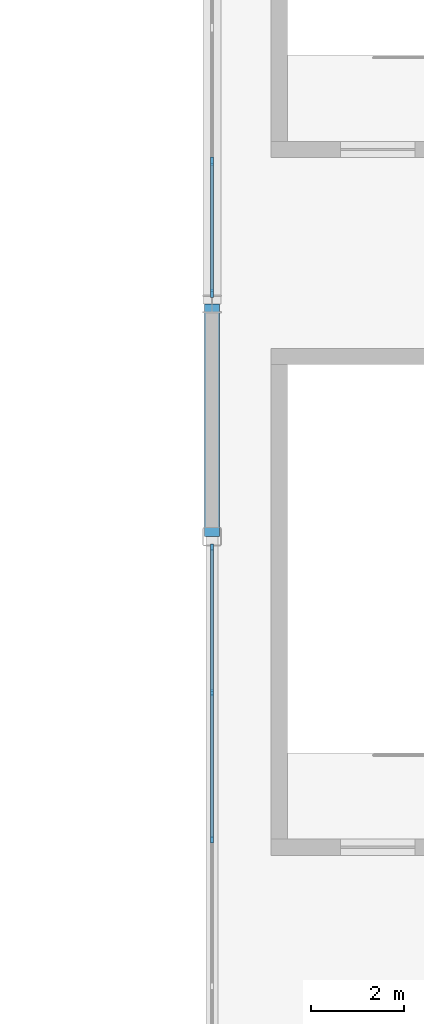
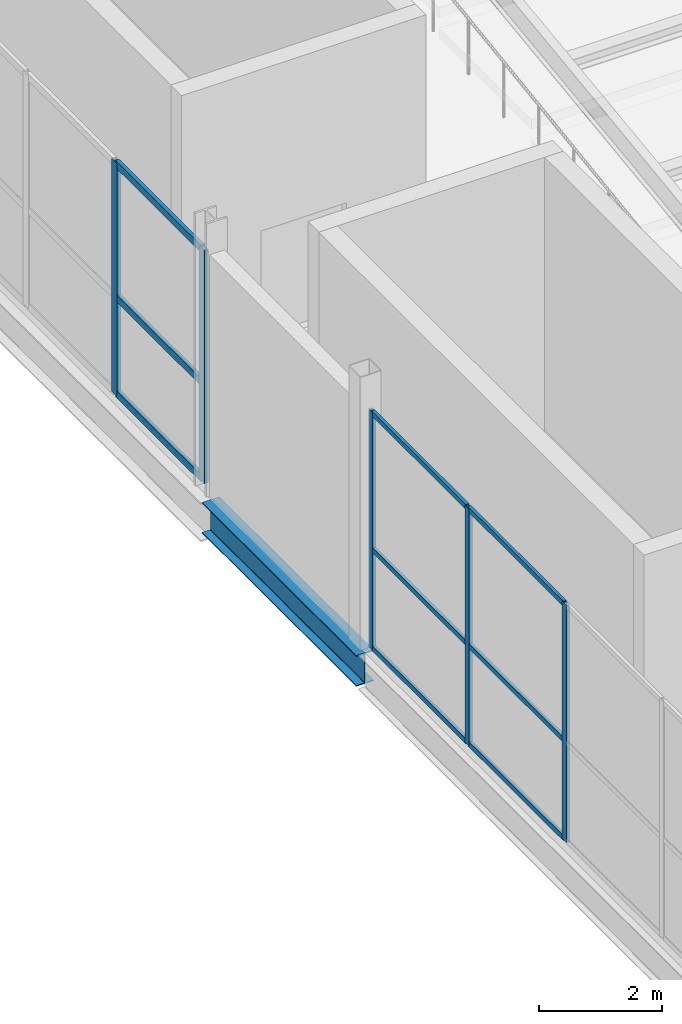
# One storey, part 58 of 119: 14 members, 1 beam, 2 elements without a shape of their own.
"""IFC4 building model written with IfcOpenShell, lengths in metres."""

from ifc_helpers import new_model, si_unit, direction, frame, origin, origin_2d, place, context, subcontext, project, spatial, rectangle, i_section, extrude, material, layer, layer_set, material_profile, profile_set, type_object, element, aggregate, save


model = new_model("IFC4")

# Units and contexts
model_context = context("Model", 3, precision=1e-05, world=origin(), true_north=direction((0.0, 1.0)))
body_context = subcontext(model_context, "Body", "Model", "MODEL_VIEW")
ifc_project = project(units=[si_unit("LENGTHUNIT", "METRE"), si_unit("AREAUNIT", "SQUARE_METRE"), si_unit("VOLUMEUNIT", "CUBIC_METRE"), si_unit("PLANEANGLEUNIT", "RADIAN"), si_unit("MASSUNIT", "GRAM", prefix="KILO")], contexts=[model_context])

# Site, building, storey
site_placement = place(None, origin())
site = spatial("IfcSite", under=ifc_project, at=site_placement, CompositionType="ELEMENT")
building_placement = place(site_placement, origin())
building = spatial("IfcBuilding", under=site, at=building_placement, Name="Qamarlyn Nura Convention Centre", CompositionType="ELEMENT")
storey_placement = place(building_placement, frame((0.0, 0.0, 5.39990234375)))
storey = spatial("IfcBuildingStorey", under=building, at=storey_placement, Name="L01", CompositionType="ELEMENT", Elevation=5.39990234375)

# Beam
ifc_material_1 = material(Name="Steel ASTM A992", Category="steel")
ifc_material_profile_1 = material_profile(ifc_material_1, i_section(OverallWidth=0.323974609375, OverallDepth=0.611083984375, WebThickness=0.0126953125, FlangeThickness=0.01904296875, FilletRadius=0.01611328125, at=origin_2d()), Name="W610X155")
ifc_profile_set_1 = profile_set([ifc_material_profile_1], Name="Steel ASTM A992")
beam_type = type_object("IfcBeamType", Name="BM-GIRD-610", PredefinedType="BEAM", material=ifc_profile_set_1)
beam_placement = place(storey_placement, frame((144.0, 103.0, -0.54541015625), z_axis=(0.0, 1.0, 0.0), x_axis=(-1.0, 0.0, 0.0)))
element("IfcBeam", 1, at=beam_placement, inside=storey, type_object=beam_type, Name="L01 girder 12 M-N", PredefinedType="BEAM", context=body_context, shape_type="SweptSolid", body=[
    extrude(i_section(OverallWidth=0.323974609375, OverallDepth=0.611083984375, WebThickness=0.0126953125, FlangeThickness=0.01904296875, FilletRadius=0.01611328125, at=origin_2d()), origin(), (0.0, 0.0, 1.0), 5.0),
])

# Curtain wall, members
ifc_material_2 = material(Name="Double-silver low-E insulated glass", Category="glass")
ifc_layer_1 = layer(ifc_material_2, 0.179931640625, Name="CW-UNIT-84")
ifc_layer_set_1 = layer_set([ifc_layer_1], Name="Double-silver low-E insulated glass")
curtain_wall_type_1 = type_object("IfcCurtainWallType", Name="CW-UNIT-84", PredefinedType="NOTDEFINED", material=ifc_layer_set_1)
curtain_wall_1_placement = place(storey_placement, origin())
curtain_wall_1 = element("IfcCurtainWall", 2, at=curtain_wall_1_placement, inside=storey, type_object=curtain_wall_type_1, Name="L01 unitised curtain wall PLW-90-1", PredefinedType="NOTDEFINED")
ifc_material_3 = material(Name="Champagne-anodised marine aluminium", Category="aluminium")
ifc_material_profile_2 = material_profile(ifc_material_3, rectangle(XDim=0.06005859375, YDim=0.139892578125, at=origin_2d()), Name="ALU MULLION 60x140")
ifc_profile_set_2 = profile_set([ifc_material_profile_2], Name="Champagne-anodised marine aluminium")
member_type_1 = type_object("IfcMemberType", Name="CWM-140", PredefinedType="MULLION", material=ifc_profile_set_2)
member_1_placement = place(storey_placement, frame((144.0, 96.487548828125, 0.0), z_axis=(0.0, 0.0, 1.0), x_axis=(-1.0, 0.0, 0.0)))
member_1 = element("IfcMember", 3, at=member_1_placement, type_object=member_type_1, Name="CW84 mullion 3", PredefinedType="MULLION", context=body_context, shape_type="SweptSolid", body=[
    extrude(rectangle(XDim=0.06005859375, YDim=0.139892578125, at=origin_2d()), origin(), (0.0, 0.0, 1.0), 4.701171875),
])
member_2_placement = place(storey_placement, frame((144.0, 99.643798828125, 0.0), z_axis=(0.0, 0.0, 1.0), x_axis=(-1.0, 0.0, 0.0)))
member_2 = element("IfcMember", 4, at=member_2_placement, type_object=member_type_1, Name="CW84 mullion 4", PredefinedType="MULLION", context=body_context, shape_type="SweptSolid", body=[
    extrude(rectangle(XDim=0.06005859375, YDim=0.139892578125, at=origin_2d()), origin(), (0.0, 0.0, 1.0), 4.701171875),
])
member_3_placement = place(storey_placement, frame((144.0, 102.77001953125, 0.0), z_axis=(0.0, 0.0, 1.0), x_axis=(-1.0, 0.0, 0.0)))
member_3 = element("IfcMember", 5, at=member_3_placement, type_object=member_type_1, Name="CW84 mullion 5", PredefinedType="MULLION", context=body_context, shape_type="SweptSolid", body=[
    extrude(rectangle(XDim=0.06005859375, YDim=0.139892578125, at=origin_2d()), origin(), (0.0, 0.0, 1.0), 4.701171875),
])

ifc_layer_2 = layer(ifc_material_2, 0.179931640625, Name="CW-UNIT-85")
ifc_layer_set_2 = layer_set([ifc_layer_2], Name="Double-silver low-E insulated glass")
curtain_wall_type_2 = type_object("IfcCurtainWallType", Name="CW-UNIT-85", PredefinedType="NOTDEFINED", material=ifc_layer_set_2)
curtain_wall_2_placement = place(storey_placement, origin())
curtain_wall_2 = element("IfcCurtainWall", 6, at=curtain_wall_2_placement, inside=storey, type_object=curtain_wall_type_2, Name="L01 unitised curtain wall PLW-108-1", PredefinedType="NOTDEFINED")
ifc_material_profile_3 = material_profile(ifc_material_3, rectangle(XDim=0.070068359375, YDim=0.179931640625, at=origin_2d()), Name="ALU MULLION 70x180")
ifc_profile_set_3 = profile_set([ifc_material_profile_3], Name="Champagne-anodised marine aluminium")
member_type_2 = type_object("IfcMemberType", Name="CWM-180", PredefinedType="MULLION", material=ifc_profile_set_3)
member_4_placement = place(storey_placement, frame((144.0, 108.2314453125, 0.0), z_axis=(0.0, 0.0, 1.0), x_axis=(-1.0, 0.0, 0.0)))
member_4 = element("IfcMember", 7, at=member_4_placement, type_object=member_type_2, Name="CW85 mullion 1", PredefinedType="MULLION", context=body_context, shape_type="SweptSolid", body=[
    extrude(rectangle(XDim=0.070068359375, YDim=0.179931640625, at=origin_2d()), origin(), (0.0, 0.0, 1.0), 4.612060546875),
])
member_5_placement = place(storey_placement, frame((144.0, 111.069091796875, 0.0), z_axis=(0.0, 0.0, 1.0), x_axis=(-1.0, 0.0, 0.0)))
member_5 = element("IfcMember", 8, at=member_5_placement, type_object=member_type_2, Name="CW85 mullion 2", PredefinedType="MULLION", context=body_context, shape_type="SweptSolid", body=[
    extrude(rectangle(XDim=0.070068359375, YDim=0.179931640625, at=origin_2d()), origin(), (0.0, 0.0, 1.0), 4.612060546875),
])

# Member
ifc_material_profile_4 = material_profile(ifc_material_3, rectangle(XDim=0.06005859375, YDim=0.10009765625, at=origin_2d()), Name="ALU TRANSOM 60x100")
ifc_profile_set_4 = profile_set([ifc_material_profile_4], Name="Champagne-anodised marine aluminium")
member_type_3 = type_object("IfcMemberType", Name="CWT-100", PredefinedType="USERDEFINED", material=ifc_profile_set_4)
member_6_placement = place(storey_placement, frame((144.0, 96.517578125, 0.030029296875), z_axis=(0.0, 1.0, 0.0), x_axis=(-1.0, 0.0, 0.0)))
member_6 = element("IfcMember", 9, at=member_6_placement, type_object=member_type_3, Name="CW84 transom 3.1", ObjectType="TRANSOM", PredefinedType="USERDEFINED", context=body_context, shape_type="SweptSolid", body=[
    extrude(rectangle(XDim=0.06005859375, YDim=0.10009765625, at=origin_2d()), origin(), (0.0, 0.0, 1.0), 3.09619140625),
])

member_7_placement = place(storey_placement, frame((144.0, 96.517578125, 1.97412109375), z_axis=(0.0, 1.0, 0.0), x_axis=(-1.0, 0.0, 0.0)))
member_7 = element("IfcMember", 10, at=member_7_placement, type_object=member_type_3, Name="CW84 transom 3.2", ObjectType="TRANSOM", PredefinedType="USERDEFINED", context=body_context, shape_type="SweptSolid", body=[
    extrude(rectangle(XDim=0.06005859375, YDim=0.10009765625, at=origin_2d()), origin(), (0.0, 0.0, 1.0), 3.09619140625),
])

member_8_placement = place(storey_placement, frame((144.0, 96.517578125, 4.671142578125), z_axis=(0.0, 1.0, 0.0), x_axis=(-1.0, 0.0, 0.0)))
member_8 = element("IfcMember", 11, at=member_8_placement, type_object=member_type_3, Name="CW84 transom 3.3", ObjectType="TRANSOM", PredefinedType="USERDEFINED", context=body_context, shape_type="SweptSolid", body=[
    extrude(rectangle(XDim=0.06005859375, YDim=0.10009765625, at=origin_2d()), origin(), (0.0, 0.0, 1.0), 3.09619140625),
])

member_9_placement = place(storey_placement, frame((144.0, 99.673828125, 0.030029296875), z_axis=(0.0, 1.0, 0.0), x_axis=(-1.0, 0.0, 0.0)))
member_9 = element("IfcMember", 12, at=member_9_placement, type_object=member_type_3, Name="CW84 transom 4.1", ObjectType="TRANSOM", PredefinedType="USERDEFINED", context=body_context, shape_type="SweptSolid", body=[
    extrude(rectangle(XDim=0.06005859375, YDim=0.10009765625, at=origin_2d()), origin(), (0.0, 0.0, 1.0), 3.066162109375),
])

member_10_placement = place(storey_placement, frame((144.0, 99.673828125, 1.97412109375), z_axis=(0.0, 1.0, 0.0), x_axis=(-1.0, 0.0, 0.0)))
member_10 = element("IfcMember", 13, at=member_10_placement, type_object=member_type_3, Name="CW84 transom 4.2", ObjectType="TRANSOM", PredefinedType="USERDEFINED", context=body_context, shape_type="SweptSolid", body=[
    extrude(rectangle(XDim=0.06005859375, YDim=0.10009765625, at=origin_2d()), origin(), (0.0, 0.0, 1.0), 3.066162109375),
])

member_11_placement = place(storey_placement, frame((144.0, 99.673828125, 4.671142578125), z_axis=(0.0, 1.0, 0.0), x_axis=(-1.0, 0.0, 0.0)))
member_11 = element("IfcMember", 14, at=member_11_placement, type_object=member_type_3, Name="CW84 transom 4.3", ObjectType="TRANSOM", PredefinedType="USERDEFINED", context=body_context, shape_type="SweptSolid", body=[
    extrude(rectangle(XDim=0.06005859375, YDim=0.10009765625, at=origin_2d()), origin(), (0.0, 0.0, 1.0), 3.066162109375),
])

aggregate(curtain_wall_1, [member_1, member_2, member_3, member_6, member_7, member_8, member_9, member_10, member_11])

ifc_material_profile_5 = material_profile(ifc_material_3, rectangle(XDim=0.070068359375, YDim=0.139892578125, at=origin_2d()), Name="ALU TRANSOM 70x140")
ifc_profile_set_5 = profile_set([ifc_material_profile_5], Name="Champagne-anodised marine aluminium")
member_type_4 = type_object("IfcMemberType", Name="CWT-140", PredefinedType="USERDEFINED", material=ifc_profile_set_5)
member_12_placement = place(storey_placement, frame((144.0, 108.2666015625, 0.03515625), z_axis=(0.0, 1.0, 0.0), x_axis=(-1.0, 0.0, 0.0)))
member_12 = element("IfcMember", 15, at=member_12_placement, type_object=member_type_4, Name="CW85 transom 1.1", ObjectType="TRANSOM", PredefinedType="USERDEFINED", context=body_context, shape_type="SweptSolid", body=[
    extrude(rectangle(XDim=0.070068359375, YDim=0.139892578125, at=origin_2d()), origin(), (0.0, 0.0, 1.0), 2.767333984375),
])

member_13_placement = place(storey_placement, frame((144.0, 108.2666015625, 1.93701171875), z_axis=(0.0, 1.0, 0.0), x_axis=(-1.0, 0.0, 0.0)))
member_13 = element("IfcMember", 16, at=member_13_placement, type_object=member_type_4, Name="CW85 transom 1.2", ObjectType="TRANSOM", PredefinedType="USERDEFINED", context=body_context, shape_type="SweptSolid", body=[
    extrude(rectangle(XDim=0.070068359375, YDim=0.139892578125, at=origin_2d()), origin(), (0.0, 0.0, 1.0), 2.767333984375),
])

member_14_placement = place(storey_placement, frame((144.0, 108.2666015625, 4.5771484375), z_axis=(0.0, 1.0, 0.0), x_axis=(-1.0, 0.0, 0.0)))
member_14 = element("IfcMember", 17, at=member_14_placement, type_object=member_type_4, Name="CW85 transom 1.3", ObjectType="TRANSOM", PredefinedType="USERDEFINED", context=body_context, shape_type="SweptSolid", body=[
    extrude(rectangle(XDim=0.070068359375, YDim=0.139892578125, at=origin_2d()), origin(), (0.0, 0.0, 1.0), 2.767333984375),
])

aggregate(curtain_wall_2, [member_4, member_5, member_12, member_13, member_14])

save(model, "model.ifc")
